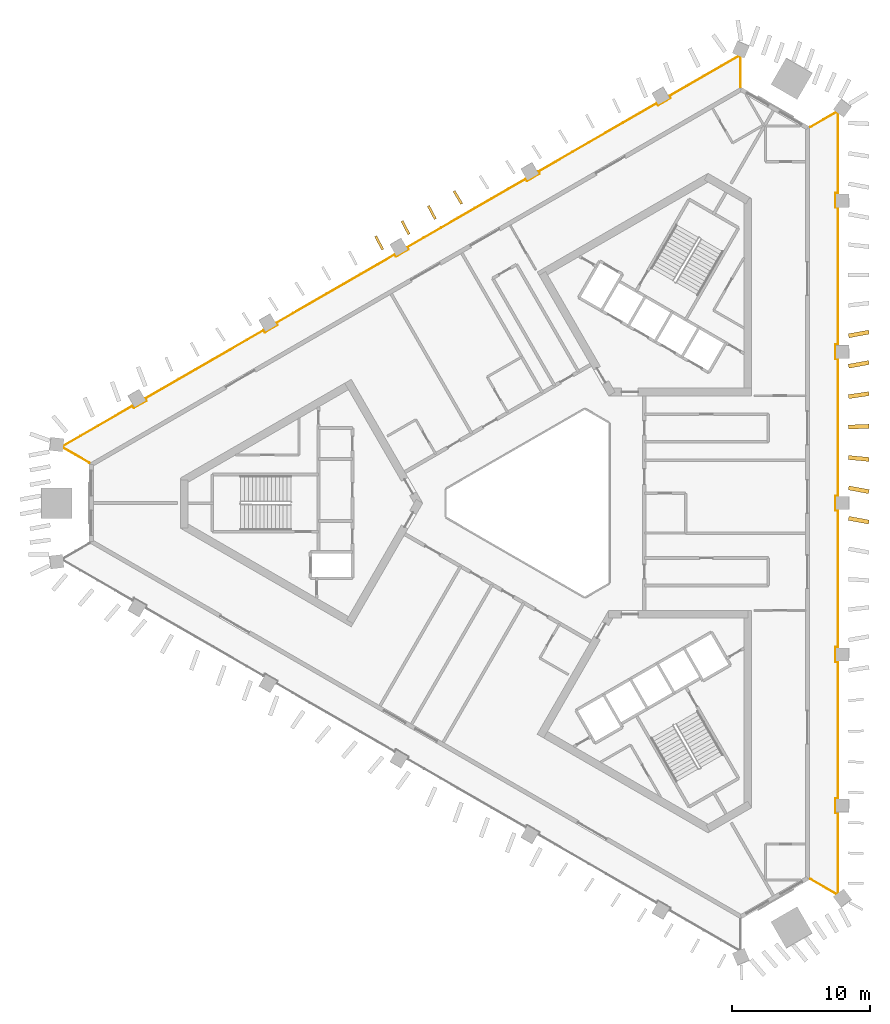
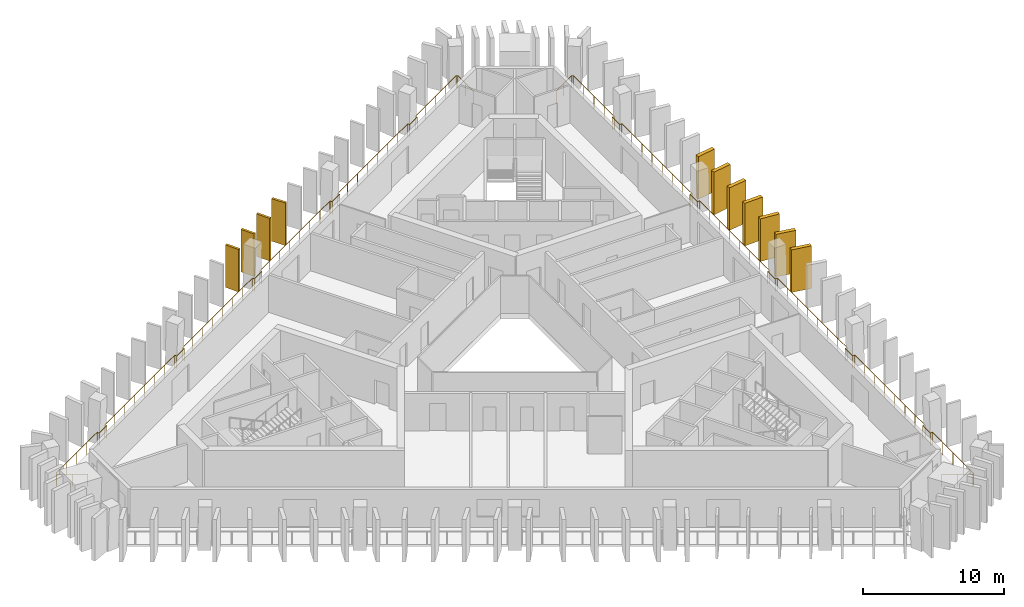
# One storey, part 9 of 10: 11 shading devices, 2 railings.
"""IFC4 building model written with IfcOpenShell, lengths in metres."""

from ifc_helpers import new_model, si_unit, direction, frame, frame_2d, origin, origin_2d, place, context, subcontext, project, spatial, rectangle, circle, extrude, material, layer, layer_set, type_object, element, save


model = new_model("IFC4")

# Units and contexts
model_context = context("Model", 3, precision=1e-05, world=origin(), true_north=direction((0.0, 1.0)))
body_context = subcontext(model_context, "Body", "Model", "MODEL_VIEW")
ifc_project = project(units=[si_unit("LENGTHUNIT", "METRE"), si_unit("AREAUNIT", "SQUARE_METRE"), si_unit("VOLUMEUNIT", "CUBIC_METRE"), si_unit("PLANEANGLEUNIT", "RADIAN"), si_unit("MASSUNIT", "GRAM", prefix="KILO")], contexts=[model_context])

# Site, building, storey
site_placement = place(None, origin())
site = spatial("IfcSite", under=ifc_project, at=site_placement, CompositionType="ELEMENT")
building_placement = place(site_placement, origin())
building = spatial("IfcBuilding", under=site, at=building_placement, Name="Jabali Bay Hotel Tower and Convention Centre", CompositionType="ELEMENT")
storey_placement = place(building_placement, frame((0.0, 0.0, 156.300048828125)))
storey = spatial("IfcBuildingStorey", under=building, at=storey_placement, Name="L37", CompositionType="ELEMENT", Elevation=156.300048828125)

# Railings
ifc_material_1 = material(Name="Glass", Category="glass")
railing_type = type_object("IfcRailingType", Name="Loggia glass guard 1100", PredefinedType="BALUSTRADE", material=ifc_material_1)
railing_1_placement = place(storey_placement, frame((94.150146484375, 107.3046875, 0.0)))
element("IfcRailing", 1, at=railing_1_placement, inside=storey, type_object=railing_type, Name="Loggia glass guard L37", PredefinedType="BALUSTRADE", context=body_context, shape_type="SweptSolid", body=[
    extrude(circle(Radius=0.02490234375, at=origin_2d()), frame((0.0, 0.0, 1.0751953125), z_axis=(0.866007583809, 0.500030863832, 0.0), x_axis=(-0.495753030475, 0.858598768878, 0.13052619222)), (0.0, 0.0, 1.0), 2.192626953125),
    extrude(circle(Radius=0.02490234375, at=origin_2d()), frame((1.89892578125, 1.096435546875, 1.0751953125), z_axis=(0.800463797728, -0.599381104579, 0.0), x_axis=(0.59425331614, 0.793615718973, 0.13052619222)), (0.0, 0.0, 1.0), 0.126220703125),
    extrude(circle(Radius=0.02490234375, at=origin_2d()), frame((2.0, 1.020751953125, 1.0751953125), z_axis=(0.0, -1.0, 0.0), x_axis=(0.991444861374, 0.0, 0.13052619222)), (0.0, 0.0, 1.0), 5.814208984375),
    extrude(circle(Radius=0.02490234375, at=origin_2d()), frame((2.0, -4.79345703125, 1.0751953125), z_axis=(-1.0, 0.0, 0.0), x_axis=(0.0, -0.991444861374, 0.13052619222)), (0.0, 0.0, 1.0), 0.175048828125),
    extrude(circle(Radius=0.02490234375, at=origin_2d()), frame((1.824951171875, -4.79345703125, 1.0751953125), z_axis=(0.0, -1.0, 0.0), x_axis=(0.991444861374, 0.0, 0.13052619222)), (0.0, 0.0, 1.0), 1.050048828125),
    extrude(circle(Radius=0.02490234375, at=origin_2d()), frame((1.824951171875, -5.843505859375, 1.0751953125), z_axis=(1.0, 0.0, 0.0), x_axis=(0.0, 0.991444861374, 0.13052619222)), (0.0, 0.0, 1.0), 0.175048828125),
    extrude(circle(Radius=0.02490234375, at=origin_2d()), frame((2.0, -5.843505859375, 1.0751953125), z_axis=(0.0, -1.0, 0.0), x_axis=(0.991444861374, 0.0, 0.13052619222)), (0.0, 0.0, 1.0), 9.943115234375),
    extrude(circle(Radius=0.02490234375, at=origin_2d()), frame((2.0, -15.78662109375, 1.0751953125), z_axis=(-1.0, 0.0, 0.0), x_axis=(0.0, -0.991444861374, 0.13052619222)), (0.0, 0.0, 1.0), 0.175048828125),
    extrude(circle(Radius=0.02490234375, at=origin_2d()), frame((1.824951171875, -15.78662109375, 1.0751953125), z_axis=(0.0, -1.0, 0.0), x_axis=(0.991444861374, 0.0, 0.13052619222)), (0.0, 0.0, 1.0), 1.050048828125),
    extrude(circle(Radius=0.02490234375, at=origin_2d()), frame((1.824951171875, -16.836669921875, 1.0751953125), z_axis=(1.0, 0.0, 0.0), x_axis=(0.0, 0.991444861374, 0.13052619222)), (0.0, 0.0, 1.0), 0.175048828125),
    extrude(circle(Radius=0.02490234375, at=origin_2d()), frame((2.0, -16.836669921875, 1.0751953125), z_axis=(0.0, -1.0, 0.0), x_axis=(0.991444861374, 0.0, 0.13052619222)), (0.0, 0.0, 1.0), 9.943115234375),
    extrude(circle(Radius=0.02490234375, at=origin_2d()), frame((2.0, -26.77978515625, 1.0751953125), z_axis=(-1.0, 0.0, 0.0), x_axis=(0.0, -0.991444861374, 0.13052619222)), (0.0, 0.0, 1.0), 0.175048828125),
    extrude(circle(Radius=0.02490234375, at=origin_2d()), frame((1.824951171875, -26.77978515625, 1.0751953125), z_axis=(0.0, -1.0, 0.0), x_axis=(0.991444861374, 0.0, 0.13052619222)), (0.0, 0.0, 1.0), 1.0498046875),
    extrude(circle(Radius=0.02490234375, at=origin_2d()), frame((1.824951171875, -27.82958984375, 1.0751953125), z_axis=(1.0, 0.0, 0.0), x_axis=(0.0, 0.991444861374, 0.13052619222)), (0.0, 0.0, 1.0), 0.175048828125),
    extrude(circle(Radius=0.02490234375, at=origin_2d()), frame((2.0, -27.82958984375, 1.0751953125), z_axis=(0.0, -1.0, 0.0), x_axis=(0.991444861374, 0.0, 0.13052619222)), (0.0, 0.0, 1.0), 9.943115234375),
    extrude(circle(Radius=0.02490234375, at=origin_2d()), frame((2.0, -37.772705078125, 1.0751953125), z_axis=(-1.0, 0.0, 0.0), x_axis=(0.0, -0.991444861374, 0.13052619222)), (0.0, 0.0, 1.0), 0.175048828125),
    extrude(circle(Radius=0.02490234375, at=origin_2d()), frame((1.824951171875, -37.772705078125, 1.0751953125), z_axis=(0.0, -1.0, 0.0), x_axis=(0.991444861374, 0.0, 0.13052619222)), (0.0, 0.0, 1.0), 1.050048828125),
    extrude(circle(Radius=0.02490234375, at=origin_2d()), frame((1.824951171875, -38.82275390625, 1.0751953125), z_axis=(1.0, 0.0, 0.0), x_axis=(0.0, 0.991444861374, 0.13052619222)), (0.0, 0.0, 1.0), 0.175048828125),
    extrude(circle(Radius=0.02490234375, at=origin_2d()), frame((2.0, -38.82275390625, 1.0751953125), z_axis=(0.0, -1.0, 0.0), x_axis=(0.991444861374, 0.0, 0.13052619222)), (0.0, 0.0, 1.0), 9.943115234375),
    extrude(circle(Radius=0.02490234375, at=origin_2d()), frame((2.0, -48.765869140625, 1.0751953125), z_axis=(-1.0, 0.0, 0.0), x_axis=(0.0, -0.991444861374, 0.13052619222)), (0.0, 0.0, 1.0), 0.175048828125),
    extrude(circle(Radius=0.02490234375, at=origin_2d()), frame((1.824951171875, -48.765869140625, 1.0751953125), z_axis=(0.0, -1.0, 0.0), x_axis=(0.991444861374, 0.0, 0.13052619222)), (0.0, 0.0, 1.0), 1.050048828125),
    extrude(circle(Radius=0.02490234375, at=origin_2d()), frame((1.824951171875, -49.81591796875, 1.0751953125), z_axis=(1.0, 0.0, 0.0), x_axis=(0.0, 0.991444861374, 0.13052619222)), (0.0, 0.0, 1.0), 0.175048828125),
    extrude(circle(Radius=0.02490234375, at=origin_2d()), frame((2.0, -49.81591796875, 1.0751953125), z_axis=(0.0, -1.0, 0.0), x_axis=(0.991444861374, 0.0, 0.13052619222)), (0.0, 0.0, 1.0), 5.814208984375),
    extrude(circle(Radius=0.02490234375, at=origin_2d()), frame((2.0, -55.630126953125, 1.0751953125), z_axis=(-0.800463797728, -0.599381104579, 0.0), x_axis=(0.59425331614, -0.793615718973, 0.13052619222)), (0.0, 0.0, 1.0), 0.126220703125),
    extrude(circle(Radius=0.02490234375, at=origin_2d()), frame((1.89892578125, -55.705810546875, 1.0751953125), z_axis=(-0.866007583809, 0.500030863832, 0.0), x_axis=(-0.495753030475, -0.858598768878, 0.13052619222)), (0.0, 0.0, 1.0), 2.192626953125),
    extrude(circle(Radius=0.02001953125, at=origin_2d()), origin(), (0.0, 0.0, 1.0), 1.050048828125),
    extrude(circle(Radius=0.02001953125, at=origin_2d()), frame((0.949462890625, 0.54833984375, 0.0)), (0.0, 0.0, 1.0), 1.050048828125),
    extrude(circle(Radius=0.02001953125, at=origin_2d()), frame((1.89892578125, 1.096435546875, 0.0)), (0.0, 0.0, 1.0), 1.050048828125),
    extrude(circle(Radius=0.02001953125, at=origin_2d()), frame((2.0, 1.020751953125, 0.0)), (0.0, 0.0, 1.0), 1.050048828125),
    extrude(circle(Radius=0.02001953125, at=origin_2d()), frame((2.0, -0.432861328125, 0.0)), (0.0, 0.0, 1.0), 1.050048828125),
    extrude(circle(Radius=0.02001953125, at=origin_2d()), frame((2.0, -1.88623046875, 0.0)), (0.0, 0.0, 1.0), 1.050048828125),
    extrude(circle(Radius=0.02001953125, at=origin_2d()), frame((2.0, -3.33984375, 0.0)), (0.0, 0.0, 1.0), 1.050048828125),
    extrude(circle(Radius=0.02001953125, at=origin_2d()), frame((2.0, -4.79345703125, 0.0)), (0.0, 0.0, 1.0), 1.050048828125),
    extrude(circle(Radius=0.02001953125, at=origin_2d()), frame((1.824951171875, -4.79345703125, 0.0)), (0.0, 0.0, 1.0), 1.050048828125),
    extrude(circle(Radius=0.02001953125, at=origin_2d()), frame((1.824951171875, -5.843505859375, 0.0)), (0.0, 0.0, 1.0), 1.050048828125),
    extrude(circle(Radius=0.02001953125, at=origin_2d()), frame((2.0, -5.843505859375, 0.0)), (0.0, 0.0, 1.0), 1.050048828125),
    extrude(circle(Radius=0.02001953125, at=origin_2d()), frame((2.0, -7.263916015625, 0.0)), (0.0, 0.0, 1.0), 1.050048828125),
    extrude(circle(Radius=0.02001953125, at=origin_2d()), frame((2.0, -8.684326171875, 0.0)), (0.0, 0.0, 1.0), 1.050048828125),
    extrude(circle(Radius=0.02001953125, at=origin_2d()), frame((2.0, -10.104736328125, 0.0)), (0.0, 0.0, 1.0), 1.050048828125),
    extrude(circle(Radius=0.02001953125, at=origin_2d()), frame((2.0, -11.525390625, 0.0)), (0.0, 0.0, 1.0), 1.050048828125),
    extrude(circle(Radius=0.02001953125, at=origin_2d()), frame((2.0, -12.94580078125, 0.0)), (0.0, 0.0, 1.0), 1.050048828125),
    extrude(circle(Radius=0.02001953125, at=origin_2d()), frame((2.0, -14.3662109375, 0.0)), (0.0, 0.0, 1.0), 1.050048828125),
    extrude(circle(Radius=0.02001953125, at=origin_2d()), frame((2.0, -15.78662109375, 0.0)), (0.0, 0.0, 1.0), 1.050048828125),
    extrude(circle(Radius=0.02001953125, at=origin_2d()), frame((1.824951171875, -15.78662109375, 0.0)), (0.0, 0.0, 1.0), 1.050048828125),
    extrude(circle(Radius=0.02001953125, at=origin_2d()), frame((1.824951171875, -16.836669921875, 0.0)), (0.0, 0.0, 1.0), 1.050048828125),
    extrude(circle(Radius=0.02001953125, at=origin_2d()), frame((2.0, -16.836669921875, 0.0)), (0.0, 0.0, 1.0), 1.050048828125),
    extrude(circle(Radius=0.02001953125, at=origin_2d()), frame((2.0, -18.257080078125, 0.0)), (0.0, 0.0, 1.0), 1.050048828125),
    extrude(circle(Radius=0.02001953125, at=origin_2d()), frame((2.0, -19.677490234375, 0.0)), (0.0, 0.0, 1.0), 1.050048828125),
    extrude(circle(Radius=0.02001953125, at=origin_2d()), frame((2.0, -21.097900390625, 0.0)), (0.0, 0.0, 1.0), 1.050048828125),
    extrude(circle(Radius=0.02001953125, at=origin_2d()), frame((2.0, -22.5185546875, 0.0)), (0.0, 0.0, 1.0), 1.050048828125),
    extrude(circle(Radius=0.02001953125, at=origin_2d()), frame((2.0, -23.93896484375, 0.0)), (0.0, 0.0, 1.0), 1.050048828125),
    extrude(circle(Radius=0.02001953125, at=origin_2d()), frame((2.0, -25.359375, 0.0)), (0.0, 0.0, 1.0), 1.050048828125),
    extrude(circle(Radius=0.02001953125, at=origin_2d()), frame((2.0, -26.77978515625, 0.0)), (0.0, 0.0, 1.0), 1.050048828125),
    extrude(circle(Radius=0.02001953125, at=origin_2d()), frame((1.824951171875, -26.77978515625, 0.0)), (0.0, 0.0, 1.0), 1.050048828125),
    extrude(circle(Radius=0.02001953125, at=origin_2d()), frame((1.824951171875, -27.82958984375, 0.0)), (0.0, 0.0, 1.0), 1.050048828125),
    extrude(circle(Radius=0.02001953125, at=origin_2d()), frame((2.0, -27.82958984375, 0.0)), (0.0, 0.0, 1.0), 1.050048828125),
    extrude(circle(Radius=0.02001953125, at=origin_2d()), frame((2.0, -29.25, 0.0)), (0.0, 0.0, 1.0), 1.050048828125),
    extrude(circle(Radius=0.02001953125, at=origin_2d()), frame((2.0, -30.67041015625, 0.0)), (0.0, 0.0, 1.0), 1.050048828125),
    extrude(circle(Radius=0.02001953125, at=origin_2d()), frame((2.0, -32.0908203125, 0.0)), (0.0, 0.0, 1.0), 1.050048828125),
    extrude(circle(Radius=0.02001953125, at=origin_2d()), frame((2.0, -33.511474609375, 0.0)), (0.0, 0.0, 1.0), 1.050048828125),
    extrude(circle(Radius=0.02001953125, at=origin_2d()), frame((2.0, -34.931884765625, 0.0)), (0.0, 0.0, 1.0), 1.050048828125),
    extrude(circle(Radius=0.02001953125, at=origin_2d()), frame((2.0, -36.352294921875, 0.0)), (0.0, 0.0, 1.0), 1.050048828125),
    extrude(circle(Radius=0.02001953125, at=origin_2d()), frame((2.0, -37.772705078125, 0.0)), (0.0, 0.0, 1.0), 1.050048828125),
    extrude(circle(Radius=0.02001953125, at=origin_2d()), frame((1.824951171875, -37.772705078125, 0.0)), (0.0, 0.0, 1.0), 1.050048828125),
    extrude(circle(Radius=0.02001953125, at=origin_2d()), frame((1.824951171875, -38.82275390625, 0.0)), (0.0, 0.0, 1.0), 1.050048828125),
    extrude(circle(Radius=0.02001953125, at=origin_2d()), frame((2.0, -38.82275390625, 0.0)), (0.0, 0.0, 1.0), 1.050048828125),
    extrude(circle(Radius=0.02001953125, at=origin_2d()), frame((2.0, -40.2431640625, 0.0)), (0.0, 0.0, 1.0), 1.050048828125),
    extrude(circle(Radius=0.02001953125, at=origin_2d()), frame((2.0, -41.66357421875, 0.0)), (0.0, 0.0, 1.0), 1.050048828125),
    extrude(circle(Radius=0.02001953125, at=origin_2d()), frame((2.0, -43.083984375, 0.0)), (0.0, 0.0, 1.0), 1.050048828125),
    extrude(circle(Radius=0.02001953125, at=origin_2d()), frame((2.0, -44.504638671875, 0.0)), (0.0, 0.0, 1.0), 1.050048828125),
    extrude(circle(Radius=0.02001953125, at=origin_2d()), frame((2.0, -45.925048828125, 0.0)), (0.0, 0.0, 1.0), 1.050048828125),
    extrude(circle(Radius=0.02001953125, at=origin_2d()), frame((2.0, -47.345458984375, 0.0)), (0.0, 0.0, 1.0), 1.050048828125),
    extrude(circle(Radius=0.02001953125, at=origin_2d()), frame((2.0, -48.765869140625, 0.0)), (0.0, 0.0, 1.0), 1.050048828125),
    extrude(circle(Radius=0.02001953125, at=origin_2d()), frame((1.824951171875, -48.765869140625, 0.0)), (0.0, 0.0, 1.0), 1.050048828125),
    extrude(circle(Radius=0.02001953125, at=origin_2d()), frame((1.824951171875, -49.81591796875, 0.0)), (0.0, 0.0, 1.0), 1.050048828125),
    extrude(circle(Radius=0.02001953125, at=origin_2d()), frame((2.0, -49.81591796875, 0.0)), (0.0, 0.0, 1.0), 1.050048828125),
    extrude(circle(Radius=0.02001953125, at=origin_2d()), frame((2.0, -51.26953125, 0.0)), (0.0, 0.0, 1.0), 1.050048828125),
    extrude(circle(Radius=0.02001953125, at=origin_2d()), frame((2.0, -52.72314453125, 0.0)), (0.0, 0.0, 1.0), 1.050048828125),
    extrude(circle(Radius=0.02001953125, at=origin_2d()), frame((2.0, -54.176513671875, 0.0)), (0.0, 0.0, 1.0), 1.050048828125),
    extrude(circle(Radius=0.02001953125, at=origin_2d()), frame((2.0, -55.630126953125, 0.0)), (0.0, 0.0, 1.0), 1.050048828125),
    extrude(circle(Radius=0.02001953125, at=origin_2d()), frame((1.89892578125, -55.705810546875, 0.0)), (0.0, 0.0, 1.0), 1.050048828125),
    extrude(circle(Radius=0.02001953125, at=origin_2d()), frame((0.949462890625, -55.15771484375, 0.0)), (0.0, 0.0, 1.0), 1.050048828125),
    extrude(circle(Radius=0.02001953125, at=origin_2d()), frame((0.0, -54.609375, 0.0)), (0.0, 0.0, 1.0), 1.050048828125),
])
railing_2_placement = place(storey_placement, frame((41.7783203125, 82.93212890625, 0.0)))
element("IfcRailing", 2, at=railing_2_placement, inside=storey, type_object=railing_type, Name="Loggia glass guard L37", PredefinedType="BALUSTRADE", context=body_context, shape_type="SweptSolid", body=[
    extrude(circle(Radius=0.02490234375, at=origin_2d()), frame((0.0, 0.0, 1.0751953125), z_axis=(-0.866007583809, 0.500030863832, 0.0), x_axis=(-0.495753030475, -0.858598768878, 0.13052619222)), (0.0, 0.0, 1.0), 2.192626953125),
    extrude(circle(Radius=0.02490234375, at=origin_2d()), frame((-1.89892578125, 1.096435546875, 1.0751953125), z_axis=(0.118076557849, 0.993004494696, 0.0), x_axis=(-0.984509203588, 0.117066396528, 0.13052619222)), (0.0, 0.0, 1.0), 0.126220703125),
    extrude(circle(Radius=0.02490234375, at=origin_2d()), frame((-1.884033203125, 1.2216796875, 1.0751953125), z_axis=(0.866022663817, 0.500004745733, 0.0), x_axis=(-0.495727135819, 0.858613719875, 0.13052619222)), (0.0, 0.0, 1.0), 5.814453125),
    extrude(circle(Radius=0.02490234375, at=origin_2d()), frame((3.1513671875, 4.12890625, 1.0751953125), z_axis=(0.499440622861, -0.866348119543, 0.0), x_axis=(0.858936391282, 0.495167839097, 0.13052619222)), (0.0, 0.0, 1.0), 0.175048828125),
    extrude(circle(Radius=0.02490234375, at=origin_2d()), frame((3.23876953125, 3.977294921875, 1.0751953125), z_axis=(0.866088799389, 0.499890179513, 0.0), x_axis=(-0.495613549729, 0.858679289647, 0.13052619222)), (0.0, 0.0, 1.0), 1.050048828125),
    extrude(circle(Radius=0.02490234375, at=origin_2d()), frame((4.148193359375, 4.502197265625, 1.0751953125), z_axis=(-0.500486622847, 0.865744269604, 0.0), x_axis=(-0.858337707362, -0.496204890408, 0.13052619222)), (0.0, 0.0, 1.0), 0.175048828125),
    extrude(circle(Radius=0.02490234375, at=origin_2d()), frame((4.060546875, 4.65380859375, 1.0751953125), z_axis=(0.866022441125, 0.500005131441, 0.0), x_axis=(-0.495727518228, 0.858613499088, 0.13052619222)), (0.0, 0.0, 1.0), 9.943359375),
    extrude(circle(Radius=0.02490234375, at=origin_2d()), frame((12.671630859375, 9.62548828125, 1.0751953125), z_axis=(0.499440622861, -0.866348119543, 0.0), x_axis=(0.858936391282, 0.495167839097, 0.13052619222)), (0.0, 0.0, 1.0), 0.175048828125),
    extrude(circle(Radius=0.02490234375, at=origin_2d()), frame((12.759033203125, 9.473876953125, 1.0751953125), z_axis=(0.866088799389, 0.499890179513, 0.0), x_axis=(-0.495613549729, 0.858679289647, 0.13052619222)), (0.0, 0.0, 1.0), 1.050048828125),
    extrude(circle(Radius=0.02490234375, at=origin_2d()), frame((13.66845703125, 9.998779296875, 1.0751953125), z_axis=(-0.499440622861, 0.866348119543, 0.0), x_axis=(-0.858936391282, -0.495167839097, 0.13052619222)), (0.0, 0.0, 1.0), 0.175048828125),
    extrude(circle(Radius=0.02490234375, at=origin_2d()), frame((13.5810546875, 10.150390625, 1.0751953125), z_axis=(0.866026934769, 0.499997348248, 0.0), x_axis=(-0.495719801621, 0.858617954288, 0.13052619222)), (0.0, 0.0, 1.0), 9.94287109375),
    extrude(circle(Radius=0.02490234375, at=origin_2d()), frame((22.19189453125, 15.121826171875, 1.0751953125), z_axis=(0.501091290591, -0.865394429433, 0.0), x_axis=(0.857990860123, 0.496804385136, 0.13052619222)), (0.0, 0.0, 1.0), 0.1748046875),
    extrude(circle(Radius=0.02490234375, at=origin_2d()), frame((22.279541015625, 14.970458984375, 1.0751953125), z_axis=(0.866030680601, 0.499990860175, 0.0), x_axis=(-0.495713369054, 0.858621668074, 0.13052619222)), (0.0, 0.0, 1.0), 1.0498046875),
    extrude(circle(Radius=0.02490234375, at=origin_2d()), frame((23.188720703125, 15.495361328125, 1.0751953125), z_axis=(-0.499440622861, 0.866348119543, 0.0), x_axis=(-0.858936391282, -0.495167839097, 0.13052619222)), (0.0, 0.0, 1.0), 0.175048828125),
    extrude(circle(Radius=0.02490234375, at=origin_2d()), frame((23.101318359375, 15.64697265625, 1.0751953125), z_axis=(0.866026934769, 0.499997348248, 0.0), x_axis=(-0.495719801621, 0.858617954288, 0.13052619222)), (0.0, 0.0, 1.0), 9.94287109375),
    extrude(circle(Radius=0.02490234375, at=origin_2d()), frame((31.712158203125, 20.618408203125, 1.0751953125), z_axis=(0.501091290591, -0.865394429433, 0.0), x_axis=(0.857990860123, 0.496804385136, 0.13052619222)), (0.0, 0.0, 1.0), 0.1748046875),
    extrude(circle(Radius=0.02490234375, at=origin_2d()), frame((31.7998046875, 20.467041015625, 1.0751953125), z_axis=(0.866030680601, 0.499990860175, 0.0), x_axis=(-0.495713369054, 0.858621668074, 0.13052619222)), (0.0, 0.0, 1.0), 1.0498046875),
    extrude(circle(Radius=0.02490234375, at=origin_2d()), frame((32.708984375, 20.991943359375, 1.0751953125), z_axis=(-0.499440622861, 0.866348119543, 0.0), x_axis=(-0.858936391282, -0.495167839097, 0.13052619222)), (0.0, 0.0, 1.0), 0.175048828125),
    extrude(circle(Radius=0.02490234375, at=origin_2d()), frame((32.62158203125, 21.1435546875, 1.0751953125), z_axis=(0.86603307306, 0.49998671619, 0.0), x_axis=(-0.495709260521, 0.858624040065, 0.13052619222)), (0.0, 0.0, 1.0), 9.943115234375),
    extrude(circle(Radius=0.02490234375, at=origin_2d()), frame((41.232666015625, 26.114990234375, 1.0751953125), z_axis=(0.499440622861, -0.866348119543, 0.0), x_axis=(0.858936391282, 0.495167839097, 0.13052619222)), (0.0, 0.0, 1.0), 0.175048828125),
    extrude(circle(Radius=0.02490234375, at=origin_2d()), frame((41.320068359375, 25.96337890625, 1.0751953125), z_axis=(0.865988129768, 0.500064554934, 0.0), x_axis=(-0.495786433345, 0.858579481269, 0.13052619222)), (0.0, 0.0, 1.0), 1.050048828125),
    extrude(circle(Radius=0.02490234375, at=origin_2d()), frame((42.2294921875, 26.488525390625, 1.0751953125), z_axis=(-0.500486622847, 0.865744269604, 0.0), x_axis=(-0.858337707362, -0.496204890408, 0.13052619222)), (0.0, 0.0, 1.0), 0.175048828125),
    extrude(circle(Radius=0.02490234375, at=origin_2d()), frame((42.141845703125, 26.64013671875, 1.0751953125), z_axis=(0.866040845502, 0.499973253207, 0.0), x_axis=(-0.495695912716, 0.858631746013, 0.13052619222)), (0.0, 0.0, 1.0), 5.814208984375),
    extrude(circle(Radius=0.02490234375, at=origin_2d()), frame((47.17724609375, 29.547119140625, 1.0751953125), z_axis=(0.9195450827, -0.39298453008, 0.0), x_axis=(0.389622492947, 0.911678247044, 0.13052619222)), (0.0, 0.0, 1.0), 0.126220703125),
    extrude(circle(Radius=0.02490234375, at=origin_2d()), frame((47.293212890625, 29.49755859375, 1.0751953125), z_axis=(0.0, -1.0, 0.0), x_axis=(0.991444861374, 0.0, 0.13052619222)), (0.0, 0.0, 1.0), 2.19287109375),
    extrude(circle(Radius=0.02001953125, at=origin_2d()), origin(), (0.0, 0.0, 1.0), 1.050048828125),
    extrude(circle(Radius=0.02001953125, at=origin_2d()), frame((-0.949462890625, 0.54833984375, 0.0)), (0.0, 0.0, 1.0), 1.050048828125),
    extrude(circle(Radius=0.02001953125, at=origin_2d()), frame((-1.89892578125, 1.096435546875, 0.0)), (0.0, 0.0, 1.0), 1.050048828125),
    extrude(circle(Radius=0.02001953125, at=origin_2d()), frame((-1.884033203125, 1.2216796875, 0.0)), (0.0, 0.0, 1.0), 1.050048828125),
    extrude(circle(Radius=0.02001953125, at=origin_2d()), frame((-0.625244140625, 1.948486328125, 0.0)), (0.0, 0.0, 1.0), 1.050048828125),
    extrude(circle(Radius=0.02001953125, at=origin_2d()), frame((0.6337890625, 2.67529296875, 0.0)), (0.0, 0.0, 1.0), 1.050048828125),
    extrude(circle(Radius=0.02001953125, at=origin_2d()), frame((1.892578125, 3.402099609375, 0.0)), (0.0, 0.0, 1.0), 1.050048828125),
    extrude(circle(Radius=0.02001953125, at=origin_2d()), frame((3.1513671875, 4.12890625, 0.0)), (0.0, 0.0, 1.0), 1.050048828125),
    extrude(circle(Radius=0.02001953125, at=origin_2d()), frame((3.23876953125, 3.977294921875, 0.0)), (0.0, 0.0, 1.0), 1.050048828125),
    extrude(circle(Radius=0.02001953125, at=origin_2d()), frame((4.148193359375, 4.502197265625, 0.0)), (0.0, 0.0, 1.0), 1.050048828125),
    extrude(circle(Radius=0.02001953125, at=origin_2d()), frame((4.060546875, 4.65380859375, 0.0)), (0.0, 0.0, 1.0), 1.050048828125),
    extrude(circle(Radius=0.02001953125, at=origin_2d()), frame((5.290771484375, 5.364013671875, 0.0)), (0.0, 0.0, 1.0), 1.050048828125),
    extrude(circle(Radius=0.02001953125, at=origin_2d()), frame((6.520751953125, 6.07421875, 0.0)), (0.0, 0.0, 1.0), 1.050048828125),
    extrude(circle(Radius=0.02001953125, at=origin_2d()), frame((7.7509765625, 6.784423828125, 0.0)), (0.0, 0.0, 1.0), 1.050048828125),
    extrude(circle(Radius=0.02001953125, at=origin_2d()), frame((8.981201171875, 7.494873046875, 0.0)), (0.0, 0.0, 1.0), 1.050048828125),
    extrude(circle(Radius=0.02001953125, at=origin_2d()), frame((10.21142578125, 8.205078125, 0.0)), (0.0, 0.0, 1.0), 1.050048828125),
    extrude(circle(Radius=0.02001953125, at=origin_2d()), frame((11.44140625, 8.915283203125, 0.0)), (0.0, 0.0, 1.0), 1.050048828125),
    extrude(circle(Radius=0.02001953125, at=origin_2d()), frame((12.671630859375, 9.62548828125, 0.0)), (0.0, 0.0, 1.0), 1.050048828125),
    extrude(circle(Radius=0.02001953125, at=origin_2d()), frame((12.759033203125, 9.473876953125, 0.0)), (0.0, 0.0, 1.0), 1.050048828125),
    extrude(circle(Radius=0.02001953125, at=origin_2d()), frame((13.66845703125, 9.998779296875, 0.0)), (0.0, 0.0, 1.0), 1.050048828125),
    extrude(circle(Radius=0.02001953125, at=origin_2d()), frame((13.5810546875, 10.150390625, 0.0)), (0.0, 0.0, 1.0), 1.050048828125),
    extrude(circle(Radius=0.02001953125, at=origin_2d()), frame((14.811279296875, 10.860595703125, 0.0)), (0.0, 0.0, 1.0), 1.050048828125),
    extrude(circle(Radius=0.02001953125, at=origin_2d()), frame((16.041259765625, 11.57080078125, 0.0)), (0.0, 0.0, 1.0), 1.050048828125),
    extrude(circle(Radius=0.02001953125, at=origin_2d()), frame((17.271484375, 12.281005859375, 0.0)), (0.0, 0.0, 1.0), 1.050048828125),
    extrude(circle(Radius=0.02001953125, at=origin_2d()), frame((18.50146484375, 12.9912109375, 0.0)), (0.0, 0.0, 1.0), 1.050048828125),
    extrude(circle(Radius=0.02001953125, at=origin_2d()), frame((19.731689453125, 13.701416015625, 0.0)), (0.0, 0.0, 1.0), 1.050048828125),
    extrude(circle(Radius=0.02001953125, at=origin_2d()), frame((20.961669921875, 14.41162109375, 0.0)), (0.0, 0.0, 1.0), 1.050048828125),
    extrude(circle(Radius=0.02001953125, at=origin_2d()), frame((22.19189453125, 15.121826171875, 0.0)), (0.0, 0.0, 1.0), 1.050048828125),
    extrude(circle(Radius=0.02001953125, at=origin_2d()), frame((22.279541015625, 14.970458984375, 0.0)), (0.0, 0.0, 1.0), 1.050048828125),
    extrude(circle(Radius=0.02001953125, at=origin_2d()), frame((23.188720703125, 15.495361328125, 0.0)), (0.0, 0.0, 1.0), 1.050048828125),
    extrude(circle(Radius=0.02001953125, at=origin_2d()), frame((23.101318359375, 15.64697265625, 0.0)), (0.0, 0.0, 1.0), 1.050048828125),
    extrude(circle(Radius=0.02001953125, at=origin_2d()), frame((24.33154296875, 16.357177734375, 0.0)), (0.0, 0.0, 1.0), 1.050048828125),
    extrude(circle(Radius=0.02001953125, at=origin_2d()), frame((25.5615234375, 17.0673828125, 0.0)), (0.0, 0.0, 1.0), 1.050048828125),
    extrude(circle(Radius=0.02001953125, at=origin_2d()), frame((26.791748046875, 17.777587890625, 0.0)), (0.0, 0.0, 1.0), 1.050048828125),
    extrude(circle(Radius=0.02001953125, at=origin_2d()), frame((28.021728515625, 18.48779296875, 0.0)), (0.0, 0.0, 1.0), 1.050048828125),
    extrude(circle(Radius=0.02001953125, at=origin_2d()), frame((29.251953125, 19.197998046875, 0.0)), (0.0, 0.0, 1.0), 1.050048828125),
    extrude(circle(Radius=0.02001953125, at=origin_2d()), frame((30.48193359375, 19.908203125, 0.0)), (0.0, 0.0, 1.0), 1.050048828125),
    extrude(circle(Radius=0.02001953125, at=origin_2d()), frame((31.712158203125, 20.618408203125, 0.0)), (0.0, 0.0, 1.0), 1.050048828125),
    extrude(circle(Radius=0.02001953125, at=origin_2d()), frame((31.7998046875, 20.467041015625, 0.0)), (0.0, 0.0, 1.0), 1.050048828125),
    extrude(circle(Radius=0.02001953125, at=origin_2d()), frame((32.708984375, 20.991943359375, 0.0)), (0.0, 0.0, 1.0), 1.050048828125),
    extrude(circle(Radius=0.02001953125, at=origin_2d()), frame((32.62158203125, 21.1435546875, 0.0)), (0.0, 0.0, 1.0), 1.050048828125),
    extrude(circle(Radius=0.02001953125, at=origin_2d()), frame((33.851806640625, 21.853759765625, 0.0)), (0.0, 0.0, 1.0), 1.050048828125),
    extrude(circle(Radius=0.02001953125, at=origin_2d()), frame((35.081787109375, 22.56396484375, 0.0)), (0.0, 0.0, 1.0), 1.050048828125),
    extrude(circle(Radius=0.02001953125, at=origin_2d()), frame((36.31201171875, 23.274169921875, 0.0)), (0.0, 0.0, 1.0), 1.050048828125),
    extrude(circle(Radius=0.02001953125, at=origin_2d()), frame((37.542236328125, 23.984375, 0.0)), (0.0, 0.0, 1.0), 1.050048828125),
    extrude(circle(Radius=0.02001953125, at=origin_2d()), frame((38.7724609375, 24.694580078125, 0.0)), (0.0, 0.0, 1.0), 1.050048828125),
    extrude(circle(Radius=0.02001953125, at=origin_2d()), frame((40.00244140625, 25.40478515625, 0.0)), (0.0, 0.0, 1.0), 1.050048828125),
    extrude(circle(Radius=0.02001953125, at=origin_2d()), frame((41.232666015625, 26.114990234375, 0.0)), (0.0, 0.0, 1.0), 1.050048828125),
    extrude(circle(Radius=0.02001953125, at=origin_2d()), frame((41.320068359375, 25.96337890625, 0.0)), (0.0, 0.0, 1.0), 1.050048828125),
    extrude(circle(Radius=0.02001953125, at=origin_2d()), frame((42.2294921875, 26.488525390625, 0.0)), (0.0, 0.0, 1.0), 1.050048828125),
    extrude(circle(Radius=0.02001953125, at=origin_2d()), frame((42.141845703125, 26.64013671875, 0.0)), (0.0, 0.0, 1.0), 1.050048828125),
    extrude(circle(Radius=0.02001953125, at=origin_2d()), frame((43.400634765625, 27.366943359375, 0.0)), (0.0, 0.0, 1.0), 1.050048828125),
    extrude(circle(Radius=0.02001953125, at=origin_2d()), frame((44.65966796875, 28.09375, 0.0)), (0.0, 0.0, 1.0), 1.050048828125),
    extrude(circle(Radius=0.02001953125, at=origin_2d()), frame((45.91845703125, 28.8203125, 0.0)), (0.0, 0.0, 1.0), 1.050048828125),
    extrude(circle(Radius=0.02001953125, at=origin_2d()), frame((47.17724609375, 29.547119140625, 0.0)), (0.0, 0.0, 1.0), 1.050048828125),
    extrude(circle(Radius=0.02001953125, at=origin_2d()), frame((47.293212890625, 29.49755859375, 0.0)), (0.0, 0.0, 1.0), 1.050048828125),
    extrude(circle(Radius=0.02001953125, at=origin_2d()), frame((47.293212890625, 28.401123046875, 0.0)), (0.0, 0.0, 1.0), 1.050048828125),
    extrude(circle(Radius=0.02001953125, at=origin_2d()), frame((47.293212890625, 27.3046875, 0.0)), (0.0, 0.0, 1.0), 1.050048828125),
])

# Shading devices
ifc_material_2 = material(Name="Precast concrete C60", Category="concrete")
ifc_layer_1 = layer(ifc_material_2, 0.179931640625)
ifc_layer_set_1 = layer_set([ifc_layer_1], Name="Precast concrete C60")
shading_device_type_1 = type_object("IfcShadingDeviceType", Name="Precast fin 3680 x 1100", PredefinedType="USERDEFINED", material=ifc_layer_set_1)
shading_device_placement = place(storey_placement, frame((68.832275390625, 101.728515625, 0.010009765625), z_axis=(0.0, 0.0, 1.0), x_axis=(-0.5109335666, 0.859620201322, 0.0)))
element("IfcShadingDevice", 3, at=shading_device_placement, inside=storey, type_object=shading_device_type_1, Name="Fin L37 044", ObjectType="FIN", PredefinedType="USERDEFINED", context=body_context, shape_type="SweptSolid", body=[
    extrude(rectangle(XDim=1.099853515625, YDim=0.179931640625, at=frame_2d((0.5498046875, 0.0))), origin(), (0.0, 0.0, 1.0), 3.679931640625),
])
for number, where, z_axis, x_axis, name in (
    (4, (66.918212890625, 100.625732421875, 0.010009765625), (0.0, 0.0, 1.0), (-0.468040661997, 0.883706930332, 0.0), "Fin L37 045"),
    (5, (65.0048828125, 99.521240234375, 0.010009765625), (0.0, 0.0, 1.0), (-0.468040661997, 0.883706930332, 0.0), "Fin L37 046"),
    (6, (63.091796875, 98.41650390625, 0.010009765625), (0.0, 0.0, 1.0), (-0.468040661997, 0.883706930332, 0.0), "Fin L37 047"),
):
    element("IfcShadingDevice", number, at=place(storey_placement, frame(where, z_axis=z_axis, x_axis=x_axis)), inside=storey, type_object=shading_device_type_1, Name=name, ObjectType="FIN", PredefinedType="USERDEFINED", context=body_context, shape_type="SweptSolid", body=[
        extrude(rectangle(XDim=1.10009765625, YDim=0.179931640625, at=frame_2d((0.550048828125, 0.0))), origin(), (0.0, 0.0, 1.0), 3.679931640625),
    ])
ifc_layer_2 = layer(ifc_material_2, 0.300048828125)
ifc_layer_set_2 = layer_set([ifc_layer_2], Name="Precast concrete C60")
shading_device_type_2 = type_object("IfcShadingDeviceType", Name="Precast fin 3680 x 1500", PredefinedType="USERDEFINED", material=ifc_layer_set_2)
for number, where, z_axis, x_axis, name in (
    (7, (96.92724609375, 78.8955078125, 0.010009765625), (0.0, 0.0, 1.0), (0.98351646372, -0.180818598576, 0.0), "Fin L37 012"),
    (8, (96.92724609375, 81.1044921875, 0.010009765625), (0.0, 0.0, 1.0), (0.983545395653, -0.180661159883, 0.0), "Fin L37 013"),
    (9, (96.9140625, 83.313720703125, 0.010009765625), (0.0, 0.0, 1.0), (0.995611033824, -0.093587762702, 0.0), "Fin L37 014"),
    (10, (96.906005859375, 85.52294921875, 0.010009765625), (0.0, 0.0, 1.0), (0.999249346644, 0.03873942735, 0.0), "Fin L37 015"),
    (11, (96.922119140625, 87.732177734375, 0.010009765625), (0.0, 0.0, 1.0), (0.98911589649, 0.147138517431, 0.0), "Fin L37 016"),
    (12, (96.92724609375, 89.94140625, 0.010009765625), (0.0, 0.0, 1.0), (0.983545395653, 0.180661159883, 0.0), "Fin L37 017"),
    (13, (96.92724609375, 92.150390625, 0.010009765625), (0.0, 0.0, 1.0), (0.98351646372, 0.180818598576, 0.0), "Fin L37 018"),
):
    element("IfcShadingDevice", number, at=place(storey_placement, frame(where, z_axis=z_axis, x_axis=x_axis)), inside=storey, type_object=shading_device_type_2, Name=name, ObjectType="FIN", PredefinedType="USERDEFINED", context=body_context, shape_type="SweptSolid", body=[
        extrude(rectangle(XDim=1.5, YDim=0.300048828125, at=frame_2d((0.75, 0.0))), origin(), (0.0, 0.0, 1.0), 3.679931640625),
    ])

save(model, "model.ifc")
